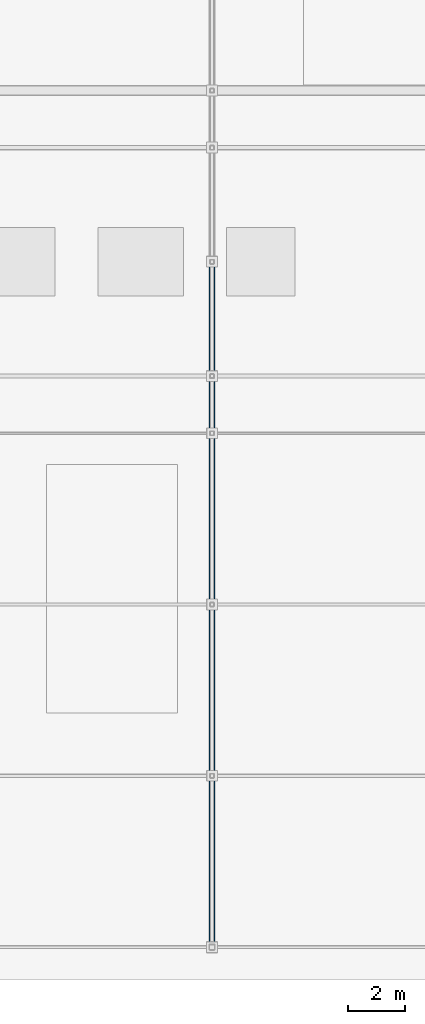
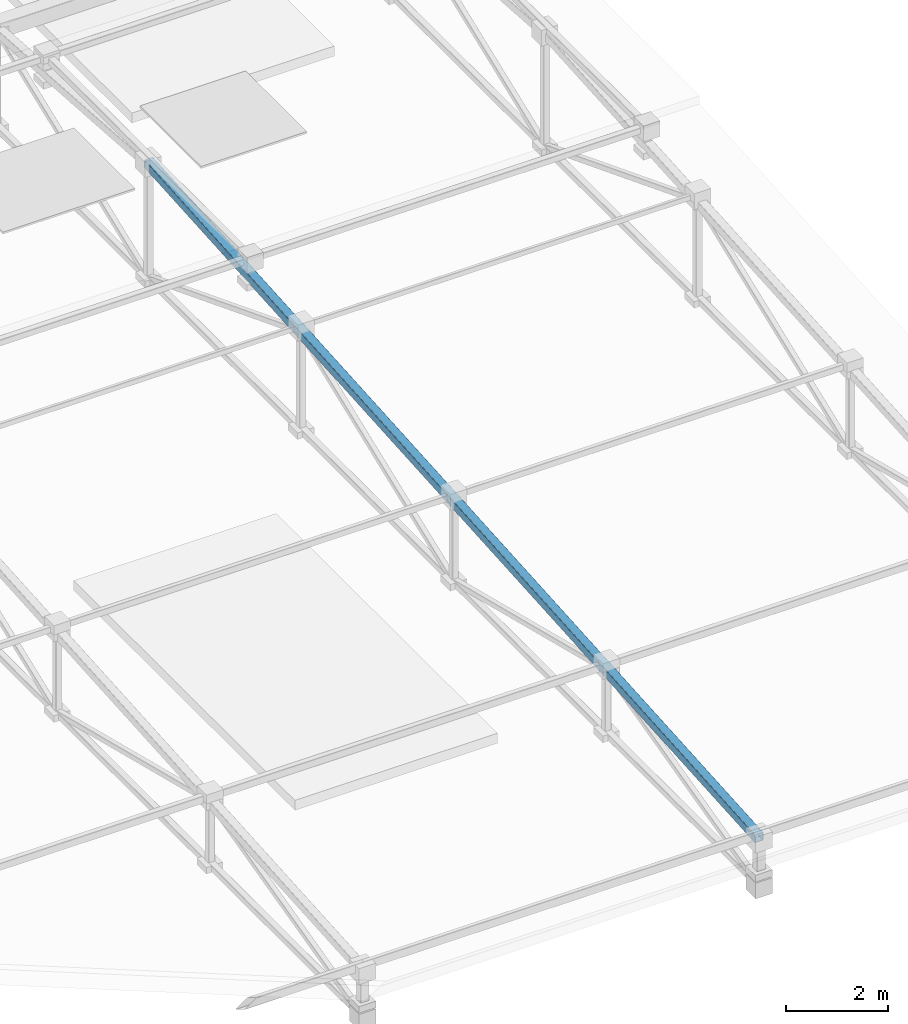
# One storey, part 20 of 85: 1 beam.
"""IFC4 building model written with IfcOpenShell, lengths in metres."""

from ifc_helpers import new_model, si_unit, direction, frame, origin, origin_2d, place, context, subcontext, project, spatial, hollow_rectangle, extrude, material, material_profile, profile_set, type_object, element, save


model = new_model("IFC4")

# Units and contexts
model_context = context("Model", 3, precision=1e-05, world=origin(), true_north=direction((0.0, 1.0)))
body_context = subcontext(model_context, "Body", "Model", "MODEL_VIEW")
ifc_project = project(units=[si_unit("LENGTHUNIT", "METRE"), si_unit("AREAUNIT", "SQUARE_METRE"), si_unit("VOLUMEUNIT", "CUBIC_METRE"), si_unit("PLANEANGLEUNIT", "RADIAN"), si_unit("MASSUNIT", "GRAM", prefix="KILO"), si_unit("THERMODYNAMICTEMPERATUREUNIT", "KELVIN"), si_unit("POWERUNIT", "WATT")], contexts=[model_context])

# Site, building, storey
site_placement = place(None, origin())
site = spatial("IfcSite", under=ifc_project, at=site_placement, CompositionType="ELEMENT")
building_placement = place(site_placement, origin())
building = spatial("IfcBuilding", under=site, at=building_placement, Name="Zelmaris Science Centre", CompositionType="ELEMENT")
storey_placement = place(building_placement, frame((0.0, 0.0, 20.39990234375)))
storey = spatial("IfcBuildingStorey", under=building, at=storey_placement, Name="L04", CompositionType="ELEMENT", Elevation=20.39990234375)

# Beam
ifc_material = material(Name="Steel ASTM A500 Grade C", Category="steel")
ifc_material_profile = material_profile(ifc_material, hollow_rectangle(XDim=0.203125, YDim=0.203125, WallThickness=0.01171875, InnerFilletRadius=0.01171875, OuterFilletRadius=0.023681640625, at=origin_2d()), Name="HSS203X203X13")
ifc_profile_set = profile_set([ifc_material_profile], Name="Steel ASTM A500 Grade C")
beam_type = type_object("IfcBeamType", Name="Beam G-20 HSS203X203X13", PredefinedType="BEAM", material=ifc_profile_set)
beam_placement = place(storey_placement, frame((126.0, 8.0, 2.0478515625), z_axis=(0.0, 0.997644646858, 0.068594158611), x_axis=(-1.0, 0.0, 0.0)))
element("IfcBeam", 1, at=beam_placement, inside=storey, type_object=beam_type, Name="RF-V4 Roof truss 3 south top chord", PredefinedType="BEAM", context=body_context, shape_type="SweptSolid", body=[
    extrude(hollow_rectangle(XDim=0.203125, YDim=0.203125, WallThickness=0.01171875, InnerFilletRadius=0.01171875, OuterFilletRadius=0.023681640625, at=origin_2d()), origin(), (0.0, 0.0, 1.0), 24.056640625),
])

save(model, "model.ifc")
